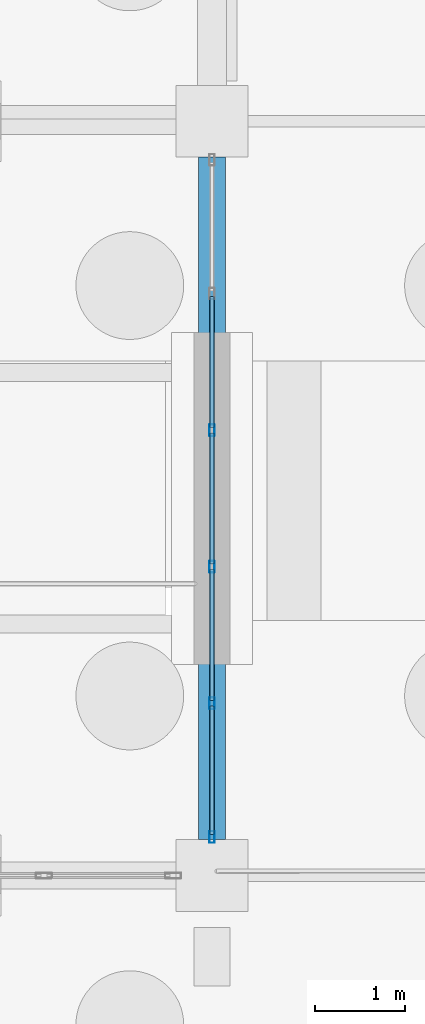
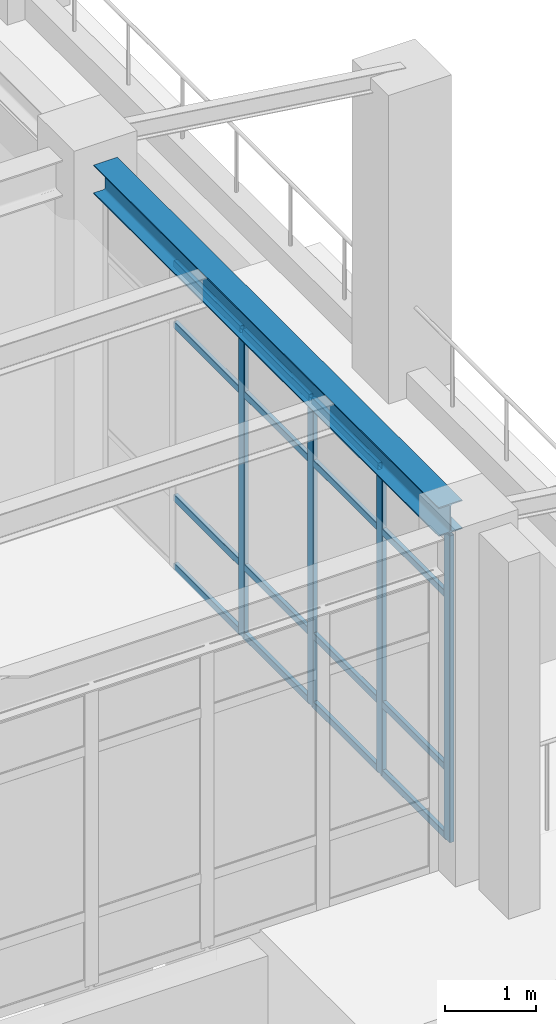
# One storey, part 53 of 111: 20 members, 1 beam, 1 element without a shape of its own.
"""IFC4 building model written with IfcOpenShell, lengths in metres."""

import ifcopenshell
import ifcopenshell.guid

model = None  # the IFC model being written
_history = None  # IfcOwnerHistory: only IFC2X3 demands one
_inside = {}  # id of a spatial element -> (the spatial element, [elements in it])
_under = {}  # id of a project, library or spatial element -> (it, [spatial elements below it])
_declared = {}  # id of a project -> (the project, [libraries it declares])
_typed = {}  # id of a type object -> (the type object, [elements of that type])
_made_of = {}  # id of a material, layer set ... -> (it, [elements and type objects made of it])


def new_model(schema):
    """Start an empty IFC model of exactly this schema.

    Asked for "IFC4X3", IfcOpenShell would pick the latest addendum, in which some entities
    have other attributes; the version numbers below select the first issue.
    IFC2X3 requires an IfcOwnerHistory on every rooted entity: one is made here for all.
    """
    global model, _history
    if schema == "IFC4X3":
        model = ifcopenshell.file(schema_version=(4, 3, 0, 0))
    else:
        model = ifcopenshell.file(schema=schema)
    _inside.clear()
    _under.clear()
    _declared.clear()
    _typed.clear()
    _made_of.clear()
    _history = None
    if model.schema == "IFC2X3":
        org = make("IfcOrganization", Name="unknown")
        user = make(
            "IfcPersonAndOrganization",
            ThePerson=make("IfcPerson", FamilyName="unknown"),
            TheOrganization=org,
        )
        app = make(
            "IfcApplication",
            ApplicationDeveloper=org,
            Version="unknown",
            ApplicationFullName="unknown",
            ApplicationIdentifier="unknown",
        )
        _history = make(
            "IfcOwnerHistory",
            OwningUser=user,
            OwningApplication=app,
            ChangeAction="ADDED",
            CreationDate=0,
        )
    return model


def make(cls, **values):
    """One entity of the class cls with the attributes given. An attribute that is None is left unset."""
    return model.create_entity(
        cls, **{name: value for name, value in values.items() if value is not None}
    )


def rooted(cls, **values):
    """An entity with a GlobalId (a new one), such as an element, a storey or a relation."""
    return make(cls, GlobalId=ifcopenshell.guid.new(), OwnerHistory=_history, **values)


def si_unit(unit_type, name, prefix=None):
    """IfcSIUnit, for example si_unit("LENGTHUNIT", "METRE", prefix="MILLI")."""
    return make("IfcSIUnit", UnitType=unit_type, Prefix=prefix, Name=name)


def assignment(units):
    """IfcUnitAssignment: the units of a project."""
    return None if units is None else make("IfcUnitAssignment", Units=units)


def point(xyz):
    """IfcCartesianPoint."""
    return None if xyz is None else make("IfcCartesianPoint", Coordinates=xyz)


def direction(xyz):
    """IfcDirection."""
    return None if xyz is None else make("IfcDirection", DirectionRatios=xyz)


def frame(location, z_axis=None, x_axis=None):
    """IfcAxis2Placement3D, a coordinate frame: its origin and axes. An axis left out is left unset."""
    return make(
        "IfcAxis2Placement3D",
        Location=point(location),
        Axis=direction(z_axis),
        RefDirection=direction(x_axis),
    )


def frame_2d(location, x_axis=None):
    """IfcAxis2Placement2D, a coordinate frame in the plane: its origin and x axis."""
    return make(
        "IfcAxis2Placement2D", Location=point(location), RefDirection=direction(x_axis)
    )


def origin():
    """The frame at (0, 0, 0) with its axes left unset."""
    return frame((0.0, 0.0, 0.0))


def origin_2d():
    """The frame at (0, 0) in the plane with its x axis left unset."""
    return frame_2d((0.0, 0.0))


def place(relative_to, where):
    """IfcLocalPlacement: puts the frame where relative to a parent placement (None: the world)."""
    return make(
        "IfcLocalPlacement", PlacementRelTo=relative_to, RelativePlacement=where
    )


def context(
    kind, dimensions, precision=None, world=None, true_north=None, identifier=None
):
    """IfcGeometricRepresentationContext, for example the 3D "Model" context."""
    return make(
        "IfcGeometricRepresentationContext",
        ContextIdentifier=identifier,
        ContextType=kind,
        CoordinateSpaceDimension=dimensions,
        Precision=precision,
        WorldCoordinateSystem=world,
        TrueNorth=true_north,
    )


def subcontext(parent, identifier, kind, view, scale=None):
    """IfcGeometricRepresentationSubContext, for example "Body" below "Model"."""
    return make(
        "IfcGeometricRepresentationSubContext",
        ContextIdentifier=identifier,
        ContextType=kind,
        ParentContext=parent,
        TargetScale=scale,
        TargetView=view,
    )


def project(units=None, contexts=None):
    """IfcProject with its units and contexts."""
    return rooted(
        "IfcProject",
        Name="project",
        RepresentationContexts=contexts,
        UnitsInContext=assignment(units),
    )


def spatial(cls, under=None, at=None, **own):
    """A site, building, storey or space (cls), placed at a placement, below another one or the project."""
    s = rooted(cls, ObjectPlacement=at, **own)
    if under is not None:
        _under.setdefault(under.id(), (under, []))[1].append(s)
    return s


def profile(cls, at=None, kind="AREA", **sizes):
    """A parametric profile (cls). Its sizes go by their IFC names, for example OverallWidth=200.0."""
    return make(cls, ProfileType=kind, Position=at, **sizes)


def hollow_rectangle(**sizes):
    """IfcRectangleHollowProfileDef."""
    return profile("IfcRectangleHollowProfileDef", **sizes)


def i_section(**sizes):
    """IfcIShapeProfileDef."""
    return profile("IfcIShapeProfileDef", **sizes)


def extrude(swept, where, along, depth):
    """IfcExtrudedAreaSolid: the profile swept, set in the frame where, extruded along a direction by depth."""
    return make(
        "IfcExtrudedAreaSolid",
        SweptArea=swept,
        Position=where,
        ExtrudedDirection=direction(along),
        Depth=depth,
    )


def shape(context_of_items, identifier, shape_type, items):
    """IfcShapeRepresentation: the items that make up one representation, for example the "Body"."""
    return make(
        "IfcShapeRepresentation",
        ContextOfItems=context_of_items,
        RepresentationIdentifier=identifier,
        RepresentationType=shape_type,
        Items=items,
    )


def material(Name=None, Category=None):
    """IfcMaterial."""
    return make("IfcMaterial", Name=Name, Category=Category)


def material_profile(
    of_material, cross_section, Name=None, Category=None, Priority=None
):
    """IfcMaterialProfile: a cross section and its material."""
    return make(
        "IfcMaterialProfile",
        Name=Name,
        Material=of_material,
        Profile=cross_section,
        Priority=Priority,
        Category=Category,
    )


def profile_set(profiles, Name=None, composite=None):
    """IfcMaterialProfileSet."""
    return make(
        "IfcMaterialProfileSet",
        Name=Name,
        MaterialProfiles=profiles,
        CompositeProfile=composite,
    )


def made_of(thing, what):
    """Note that an element or type object is made of a material, layer set ...; save() writes the relation."""
    if what is not None:
        _made_of.setdefault(what.id(), (what, []))[1].append(thing)
    return thing


def type_object(cls, material=None, **own):
    """A type object (cls), such as IfcWallType, which elements share."""
    return made_of(rooted(cls, **own), material)


def element(
    cls,
    number,
    at=None,
    inside=None,
    cuts=None,
    type_object=None,
    material=None,
    context=None,
    identifier="Body",
    shape_type=None,
    held_by="IfcProductDefinitionShape",
    body=None,
    shapes=None,
    **own,
):
    """One element of the class cls, such as IfcWall. Its Tag is "e" and its number.

    at: its placement. inside: the storey or other place that contains it. cuts: it is an
    opening in that element (IfcRelVoidsElement). A single representation is given by context,
    identifier, shape_type and body (its items); several are given by shapes. held_by: the class
    of the entity that holds the representations. save() writes the other relations.
    """
    e = rooted(cls, Tag="e%d" % number, ObjectPlacement=at, **own)
    if body is not None:
        shapes = [shape(context, identifier, shape_type, body)]
    if shapes is not None:
        e.Representation = make(held_by, Representations=shapes)
    if inside is not None:
        _inside.setdefault(inside.id(), (inside, []))[1].append(e)
    if cuts is not None:
        rooted(
            "IfcRelVoidsElement", RelatingBuildingElement=cuts, RelatedOpeningElement=e
        )
    if type_object is not None:
        _typed.setdefault(type_object.id(), (type_object, []))[1].append(e)
    return made_of(e, material)


def aggregate(whole, parts):
    """IfcRelAggregates: a whole, such as a stair, and the parts it consists of."""
    return rooted("IfcRelAggregates", RelatingObject=whole, RelatedObjects=parts)


def save(model, path):
    """Write the relations noted so far, then the file.

    IfcRelAggregates (storeys below a building ...), IfcRelContainedInSpatialStructure (elements
    in a storey), IfcRelDefinesByType, IfcRelAssociatesMaterial and IfcRelDeclares: one each for
    every whole, place, type object, material and project.
    """
    for whole, parts in _under.values():
        aggregate(whole, parts)
    for where, things in _inside.values():
        rooted(
            "IfcRelContainedInSpatialStructure",
            RelatedElements=things,
            RelatingStructure=where,
        )
    for kind, things in _typed.values():
        rooted("IfcRelDefinesByType", RelatedObjects=things, RelatingType=kind)
    for what, things in _made_of.values():
        rooted("IfcRelAssociatesMaterial", RelatedObjects=things, RelatingMaterial=what)
    for by, libraries in _declared.values():
        rooted("IfcRelDeclares", RelatingContext=by, RelatedDefinitions=libraries)
    model.write(path)


model = new_model("IFC4")

# Units and contexts
model_context = context("Model", 3, precision=1e-05, world=origin(), true_north=direction((0.0, 1.0)))
body_context = subcontext(model_context, "Body", "Model", "MODEL_VIEW")
ifc_project = project(units=[si_unit("LENGTHUNIT", "METRE"), si_unit("AREAUNIT", "SQUARE_METRE"), si_unit("VOLUMEUNIT", "CUBIC_METRE"), si_unit("PLANEANGLEUNIT", "RADIAN"), si_unit("MASSUNIT", "GRAM", prefix="KILO")], contexts=[model_context])

# Site, building, storey
site_placement = place(None, origin())
site = spatial("IfcSite", under=ifc_project, at=site_placement, CompositionType="ELEMENT")
building_placement = place(site_placement, origin())
building = spatial("IfcBuilding", under=site, at=building_placement, Name="Canglan Escarpment Cableway Terminal", CompositionType="ELEMENT")
storey_placement = place(building_placement, frame((0.0, 0.0, 4.800048828125)))
storey = spatial("IfcBuildingStorey", under=building, at=storey_placement, Name="L01", CompositionType="ELEMENT", Elevation=4.800048828125)

# Beam
ifc_material_1 = material(Name="Steel Q355B", Category="steel")
ifc_material_profile_1 = material_profile(ifc_material_1, i_section(OverallWidth=0.300048828125, OverallDepth=0.389892578125, WebThickness=0.010009765625, FlangeThickness=0.01611328125, FilletRadius=0.02197265625, at=origin_2d()), Name="HM 390x300x10x16")
ifc_profile_set_1 = profile_set([ifc_material_profile_1], Name="Steel Q355B")
beam_type = type_object("IfcBeamType", Name="BM-ARCH-TOP-HM390", PredefinedType="BEAM", material=ifc_profile_set_1)
beam_placement = place(storey_placement, frame((176.0, 8.39990234375, 4.3349609375), z_axis=(0.0, 1.0, 0.0), x_axis=(-1.0, 0.0, 0.0)))
element("IfcBeam", 1, at=beam_placement, inside=storey, type_object=beam_type, Name="Primary transverse girder AR-TC1", PredefinedType="BEAM", context=body_context, shape_type="SweptSolid", body=[
    extrude(i_section(OverallWidth=0.300048828125, OverallDepth=0.389892578125, WebThickness=0.010009765625, FlangeThickness=0.01611328125, FilletRadius=0.02197265625, at=origin_2d()), origin(), (0.0, 0.0, 1.0), 7.60009765625),
])

# Curtain wall, members
ifc_material_2 = material(Name="Anodized bronze aluminium and Low-E double glazing", Category="aluminium")
curtain_wall_type = type_object("IfcCurtainWallType", Name="CW-BAY-7600x4125", PredefinedType="NOTDEFINED", material=ifc_material_2)
curtain_wall_placement = place(storey_placement, origin())
curtain_wall = element("IfcCurtainWall", 2, at=curtain_wall_placement, inside=storey, type_object=curtain_wall_type, Name="Classical bay-between-piers glazed curtain wall CW-23", PredefinedType="NOTDEFINED")
ifc_material_3 = material(Name="Thermally broken anodized aluminium 6063-T6", Category="aluminium")
ifc_material_profile_2 = material_profile(ifc_material_3, hollow_rectangle(XDim=0.06005859375, YDim=0.1298828125, WallThickness=0.0029296875, InnerFilletRadius=0.0029296875, OuterFilletRadius=0.006103515625, at=origin_2d()), Name="ALU-MULL 60x130x3")
ifc_profile_set_2 = profile_set([ifc_material_profile_2], Name="Thermally broken anodized aluminium 6063-T6")
member_type_1 = type_object("IfcMemberType", Name="CWM-01", PredefinedType="MULLION", material=ifc_profile_set_2)
member_1_placement = place(storey_placement, frame((176.0, 8.429931640625, 0.0), z_axis=(0.0, 0.0, 1.0), x_axis=(-1.0, 0.0, 0.0)))
member_1 = element("IfcMember", 3, at=member_1_placement, type_object=member_type_1, Name="CW-23 mullion 1", PredefinedType="MULLION", context=body_context, shape_type="SweptSolid", body=[
    extrude(hollow_rectangle(XDim=0.06005859375, YDim=0.1298828125, WallThickness=0.0029296875, InnerFilletRadius=0.0029296875, OuterFilletRadius=0.006103515625, at=origin_2d()), origin(), (0.0, 0.0, 1.0), 4.125),
])
member_2_placement = place(storey_placement, frame((176.0, 9.919921875, 0.0), z_axis=(0.0, 0.0, 1.0), x_axis=(-1.0, 0.0, 0.0)))
member_2 = element("IfcMember", 4, at=member_2_placement, type_object=member_type_1, Name="CW-23 mullion 2", PredefinedType="MULLION", context=body_context, shape_type="SweptSolid", body=[
    extrude(hollow_rectangle(XDim=0.06005859375, YDim=0.1298828125, WallThickness=0.0029296875, InnerFilletRadius=0.0029296875, OuterFilletRadius=0.006103515625, at=origin_2d()), origin(), (0.0, 0.0, 1.0), 4.125),
])
member_3_placement = place(storey_placement, frame((176.0, 11.43994140625, 0.0), z_axis=(0.0, 0.0, 1.0), x_axis=(-1.0, 0.0, 0.0)))
member_3 = element("IfcMember", 5, at=member_3_placement, type_object=member_type_1, Name="CW-23 mullion 3", PredefinedType="MULLION", context=body_context, shape_type="SweptSolid", body=[
    extrude(hollow_rectangle(XDim=0.06005859375, YDim=0.1298828125, WallThickness=0.0029296875, InnerFilletRadius=0.0029296875, OuterFilletRadius=0.006103515625, at=origin_2d()), origin(), (0.0, 0.0, 1.0), 4.125),
])
member_4_placement = place(storey_placement, frame((176.0, 12.9599609375, 0.0), z_axis=(0.0, 0.0, 1.0), x_axis=(-1.0, 0.0, 0.0)))
member_4 = element("IfcMember", 6, at=member_4_placement, type_object=member_type_1, Name="CW-23 mullion 4", PredefinedType="MULLION", context=body_context, shape_type="SweptSolid", body=[
    extrude(hollow_rectangle(XDim=0.06005859375, YDim=0.1298828125, WallThickness=0.0029296875, InnerFilletRadius=0.0029296875, OuterFilletRadius=0.006103515625, at=origin_2d()), origin(), (0.0, 0.0, 1.0), 4.125),
])
ifc_material_profile_3 = material_profile(ifc_material_3, hollow_rectangle(XDim=0.054931640625, YDim=0.094970703125, WallThickness=0.0029296875, InnerFilletRadius=0.0029296875, OuterFilletRadius=0.006103515625, at=origin_2d()), Name="ALU-TRAN 55x95x3")
ifc_profile_set_3 = profile_set([ifc_material_profile_3], Name="Thermally broken anodized aluminium 6063-T6")
member_type_2 = type_object("IfcMemberType", Name="CWT-01", PredefinedType="USERDEFINED", material=ifc_profile_set_3)
member_5_placement = place(storey_placement, frame((176.0, 8.4599609375, 0.02734375), z_axis=(0.0, 1.0, 0.0), x_axis=(-1.0, 0.0, 0.0)))
member_5 = element("IfcMember", 7, at=member_5_placement, type_object=member_type_2, Name="CW-23 transom 1.1", ObjectType="TRANSOM", PredefinedType="USERDEFINED", context=body_context, shape_type="SweptSolid", body=[
    extrude(hollow_rectangle(XDim=0.054931640625, YDim=0.094970703125, WallThickness=0.0029296875, InnerFilletRadius=0.0029296875, OuterFilletRadius=0.006103515625, at=origin_2d()), origin(), (0.0, 0.0, 1.0), 1.429931640625),
])
member_6_placement = place(storey_placement, frame((176.0, 8.4599609375, 0.949951171875), z_axis=(0.0, 1.0, 0.0), x_axis=(-1.0, 0.0, 0.0)))
member_6 = element("IfcMember", 8, at=member_6_placement, type_object=member_type_2, Name="CW-23 transom 1.2", ObjectType="TRANSOM", PredefinedType="USERDEFINED", context=body_context, shape_type="SweptSolid", body=[
    extrude(hollow_rectangle(XDim=0.054931640625, YDim=0.094970703125, WallThickness=0.0029296875, InnerFilletRadius=0.0029296875, OuterFilletRadius=0.006103515625, at=origin_2d()), origin(), (0.0, 0.0, 1.0), 1.429931640625),
])
member_7_placement = place(storey_placement, frame((176.0, 8.4599609375, 3.27490234375), z_axis=(0.0, 1.0, 0.0), x_axis=(-1.0, 0.0, 0.0)))
member_7 = element("IfcMember", 9, at=member_7_placement, type_object=member_type_2, Name="CW-23 transom 1.3", ObjectType="TRANSOM", PredefinedType="USERDEFINED", context=body_context, shape_type="SweptSolid", body=[
    extrude(hollow_rectangle(XDim=0.054931640625, YDim=0.094970703125, WallThickness=0.0029296875, InnerFilletRadius=0.0029296875, OuterFilletRadius=0.006103515625, at=origin_2d()), origin(), (0.0, 0.0, 1.0), 1.429931640625),
])
member_8_placement = place(storey_placement, frame((176.0, 8.4599609375, 4.097412109375), z_axis=(0.0, 1.0, 0.0), x_axis=(-1.0, 0.0, 0.0)))
member_8 = element("IfcMember", 10, at=member_8_placement, type_object=member_type_2, Name="CW-23 transom 1.4", ObjectType="TRANSOM", PredefinedType="USERDEFINED", context=body_context, shape_type="SweptSolid", body=[
    extrude(hollow_rectangle(XDim=0.054931640625, YDim=0.094970703125, WallThickness=0.0029296875, InnerFilletRadius=0.0029296875, OuterFilletRadius=0.006103515625, at=origin_2d()), origin(), (0.0, 0.0, 1.0), 1.429931640625),
])
member_9_placement = place(storey_placement, frame((176.0, 9.949951171875, 0.02734375), z_axis=(0.0, 1.0, 0.0), x_axis=(-1.0, 0.0, 0.0)))
member_9 = element("IfcMember", 11, at=member_9_placement, type_object=member_type_2, Name="CW-23 transom 2.1", ObjectType="TRANSOM", PredefinedType="USERDEFINED", context=body_context, shape_type="SweptSolid", body=[
    extrude(hollow_rectangle(XDim=0.054931640625, YDim=0.094970703125, WallThickness=0.0029296875, InnerFilletRadius=0.0029296875, OuterFilletRadius=0.006103515625, at=origin_2d()), origin(), (0.0, 0.0, 1.0), 1.4599609375),
])
member_10_placement = place(storey_placement, frame((176.0, 9.949951171875, 0.949951171875), z_axis=(0.0, 1.0, 0.0), x_axis=(-1.0, 0.0, 0.0)))
member_10 = element("IfcMember", 12, at=member_10_placement, type_object=member_type_2, Name="CW-23 transom 2.2", ObjectType="TRANSOM", PredefinedType="USERDEFINED", context=body_context, shape_type="SweptSolid", body=[
    extrude(hollow_rectangle(XDim=0.054931640625, YDim=0.094970703125, WallThickness=0.0029296875, InnerFilletRadius=0.0029296875, OuterFilletRadius=0.006103515625, at=origin_2d()), origin(), (0.0, 0.0, 1.0), 1.4599609375),
])
member_11_placement = place(storey_placement, frame((176.0, 9.949951171875, 3.27490234375), z_axis=(0.0, 1.0, 0.0), x_axis=(-1.0, 0.0, 0.0)))
member_11 = element("IfcMember", 13, at=member_11_placement, type_object=member_type_2, Name="CW-23 transom 2.3", ObjectType="TRANSOM", PredefinedType="USERDEFINED", context=body_context, shape_type="SweptSolid", body=[
    extrude(hollow_rectangle(XDim=0.054931640625, YDim=0.094970703125, WallThickness=0.0029296875, InnerFilletRadius=0.0029296875, OuterFilletRadius=0.006103515625, at=origin_2d()), origin(), (0.0, 0.0, 1.0), 1.4599609375),
])
member_12_placement = place(storey_placement, frame((176.0, 9.949951171875, 4.097412109375), z_axis=(0.0, 1.0, 0.0), x_axis=(-1.0, 0.0, 0.0)))
member_12 = element("IfcMember", 14, at=member_12_placement, type_object=member_type_2, Name="CW-23 transom 2.4", ObjectType="TRANSOM", PredefinedType="USERDEFINED", context=body_context, shape_type="SweptSolid", body=[
    extrude(hollow_rectangle(XDim=0.054931640625, YDim=0.094970703125, WallThickness=0.0029296875, InnerFilletRadius=0.0029296875, OuterFilletRadius=0.006103515625, at=origin_2d()), origin(), (0.0, 0.0, 1.0), 1.4599609375),
])
member_13_placement = place(storey_placement, frame((176.0, 11.469970703125, 0.02734375), z_axis=(0.0, 1.0, 0.0), x_axis=(-1.0, 0.0, 0.0)))
member_13 = element("IfcMember", 15, at=member_13_placement, type_object=member_type_2, Name="CW-23 transom 3.1", ObjectType="TRANSOM", PredefinedType="USERDEFINED", context=body_context, shape_type="SweptSolid", body=[
    extrude(hollow_rectangle(XDim=0.054931640625, YDim=0.094970703125, WallThickness=0.0029296875, InnerFilletRadius=0.0029296875, OuterFilletRadius=0.006103515625, at=origin_2d()), origin(), (0.0, 0.0, 1.0), 1.4599609375),
])
member_14_placement = place(storey_placement, frame((176.0, 11.469970703125, 0.949951171875), z_axis=(0.0, 1.0, 0.0), x_axis=(-1.0, 0.0, 0.0)))
member_14 = element("IfcMember", 16, at=member_14_placement, type_object=member_type_2, Name="CW-23 transom 3.2", ObjectType="TRANSOM", PredefinedType="USERDEFINED", context=body_context, shape_type="SweptSolid", body=[
    extrude(hollow_rectangle(XDim=0.054931640625, YDim=0.094970703125, WallThickness=0.0029296875, InnerFilletRadius=0.0029296875, OuterFilletRadius=0.006103515625, at=origin_2d()), origin(), (0.0, 0.0, 1.0), 1.4599609375),
])
member_15_placement = place(storey_placement, frame((176.0, 11.469970703125, 3.27490234375), z_axis=(0.0, 1.0, 0.0), x_axis=(-1.0, 0.0, 0.0)))
member_15 = element("IfcMember", 17, at=member_15_placement, type_object=member_type_2, Name="CW-23 transom 3.3", ObjectType="TRANSOM", PredefinedType="USERDEFINED", context=body_context, shape_type="SweptSolid", body=[
    extrude(hollow_rectangle(XDim=0.054931640625, YDim=0.094970703125, WallThickness=0.0029296875, InnerFilletRadius=0.0029296875, OuterFilletRadius=0.006103515625, at=origin_2d()), origin(), (0.0, 0.0, 1.0), 1.4599609375),
])
member_16_placement = place(storey_placement, frame((176.0, 11.469970703125, 4.097412109375), z_axis=(0.0, 1.0, 0.0), x_axis=(-1.0, 0.0, 0.0)))
member_16 = element("IfcMember", 18, at=member_16_placement, type_object=member_type_2, Name="CW-23 transom 3.4", ObjectType="TRANSOM", PredefinedType="USERDEFINED", context=body_context, shape_type="SweptSolid", body=[
    extrude(hollow_rectangle(XDim=0.054931640625, YDim=0.094970703125, WallThickness=0.0029296875, InnerFilletRadius=0.0029296875, OuterFilletRadius=0.006103515625, at=origin_2d()), origin(), (0.0, 0.0, 1.0), 1.4599609375),
])
member_17_placement = place(storey_placement, frame((176.0, 12.989990234375, 0.02734375), z_axis=(0.0, 1.0, 0.0), x_axis=(-1.0, 0.0, 0.0)))
member_17 = element("IfcMember", 19, at=member_17_placement, type_object=member_type_2, Name="CW-23 transom 4.1", ObjectType="TRANSOM", PredefinedType="USERDEFINED", context=body_context, shape_type="SweptSolid", body=[
    extrude(hollow_rectangle(XDim=0.054931640625, YDim=0.094970703125, WallThickness=0.0029296875, InnerFilletRadius=0.0029296875, OuterFilletRadius=0.006103515625, at=origin_2d()), origin(), (0.0, 0.0, 1.0), 1.4599609375),
])
member_18_placement = place(storey_placement, frame((176.0, 12.989990234375, 0.949951171875), z_axis=(0.0, 1.0, 0.0), x_axis=(-1.0, 0.0, 0.0)))
member_18 = element("IfcMember", 20, at=member_18_placement, type_object=member_type_2, Name="CW-23 transom 4.2", ObjectType="TRANSOM", PredefinedType="USERDEFINED", context=body_context, shape_type="SweptSolid", body=[
    extrude(hollow_rectangle(XDim=0.054931640625, YDim=0.094970703125, WallThickness=0.0029296875, InnerFilletRadius=0.0029296875, OuterFilletRadius=0.006103515625, at=origin_2d()), origin(), (0.0, 0.0, 1.0), 1.4599609375),
])
member_19_placement = place(storey_placement, frame((176.0, 12.989990234375, 3.27490234375), z_axis=(0.0, 1.0, 0.0), x_axis=(-1.0, 0.0, 0.0)))
member_19 = element("IfcMember", 21, at=member_19_placement, type_object=member_type_2, Name="CW-23 transom 4.3", ObjectType="TRANSOM", PredefinedType="USERDEFINED", context=body_context, shape_type="SweptSolid", body=[
    extrude(hollow_rectangle(XDim=0.054931640625, YDim=0.094970703125, WallThickness=0.0029296875, InnerFilletRadius=0.0029296875, OuterFilletRadius=0.006103515625, at=origin_2d()), origin(), (0.0, 0.0, 1.0), 1.4599609375),
])
member_20_placement = place(storey_placement, frame((176.0, 12.989990234375, 4.097412109375), z_axis=(0.0, 1.0, 0.0), x_axis=(-1.0, 0.0, 0.0)))
member_20 = element("IfcMember", 22, at=member_20_placement, type_object=member_type_2, Name="CW-23 transom 4.4", ObjectType="TRANSOM", PredefinedType="USERDEFINED", context=body_context, shape_type="SweptSolid", body=[
    extrude(hollow_rectangle(XDim=0.054931640625, YDim=0.094970703125, WallThickness=0.0029296875, InnerFilletRadius=0.0029296875, OuterFilletRadius=0.006103515625, at=origin_2d()), origin(), (0.0, 0.0, 1.0), 1.4599609375),
])
aggregate(curtain_wall, [member_1, member_2, member_3, member_4, member_5, member_6, member_7, member_8, member_9, member_10, member_11, member_12, member_13, member_14, member_15, member_16, member_17, member_18, member_19, member_20])

save(model, "model.ifc")
